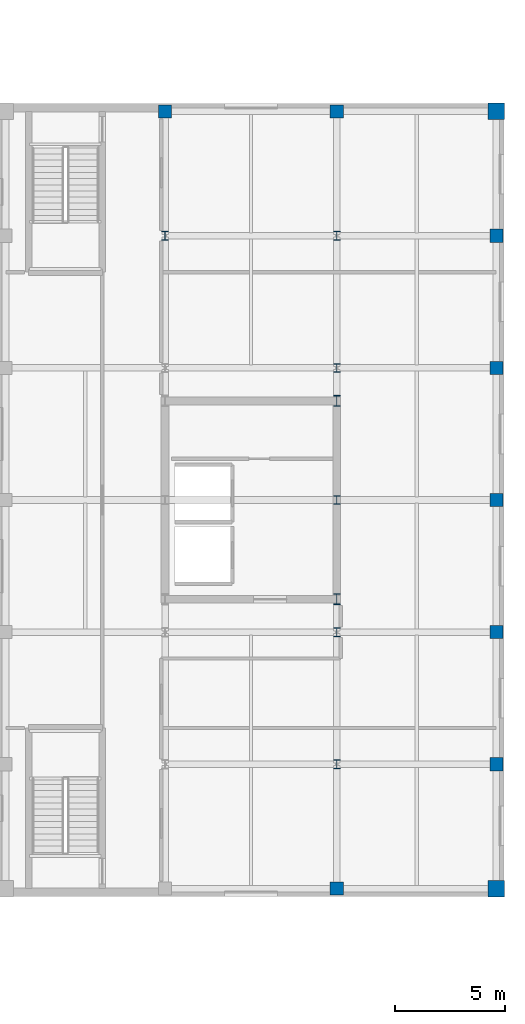
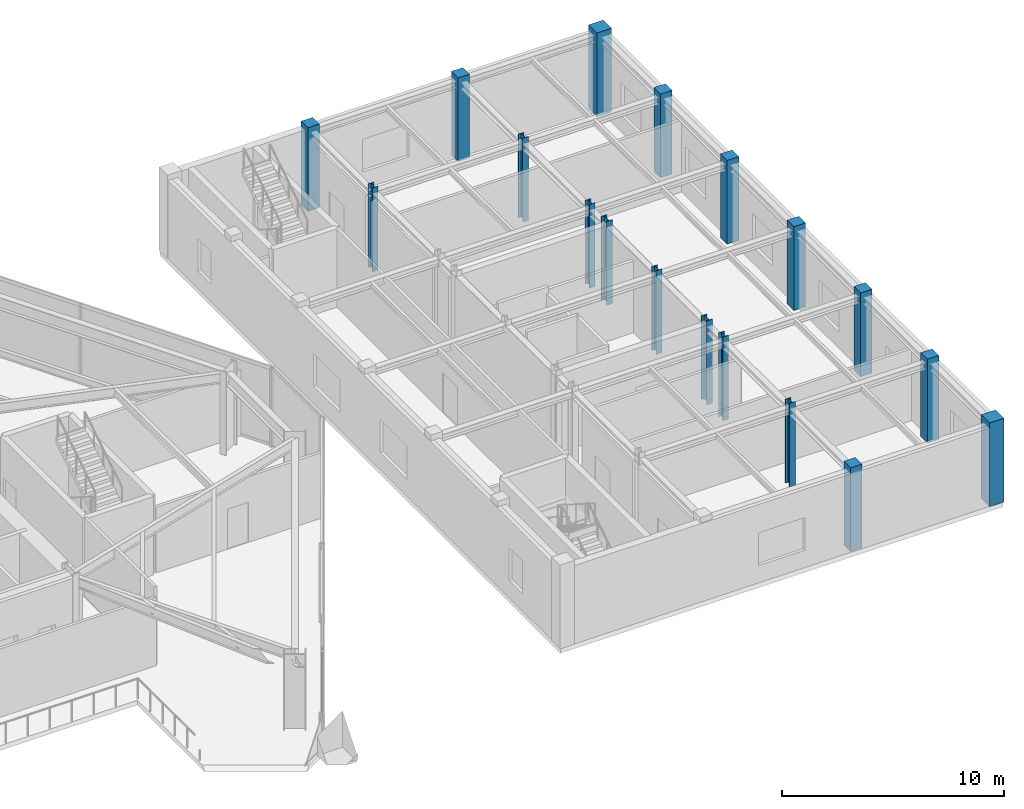
# One storey, part 4 of 23: 18 columns.
"""IFC4 building model written with IfcOpenShell, lengths in metres."""

from ifc_helpers import new_model, si_unit, direction, frame, origin, origin_2d, place, context, subcontext, project, spatial, rectangle, i_section, extrude, material, material_profile, profile_set, type_object, element, save


model = new_model("IFC4")

# Units and contexts
model_context = context("Model", 3, precision=1e-05, world=origin(), true_north=direction((0.0, 1.0)))
body_context = subcontext(model_context, "Body", "Model", "MODEL_VIEW")
ifc_project = project(units=[si_unit("LENGTHUNIT", "METRE"), si_unit("AREAUNIT", "SQUARE_METRE"), si_unit("VOLUMEUNIT", "CUBIC_METRE"), si_unit("PLANEANGLEUNIT", "RADIAN"), si_unit("MASSUNIT", "GRAM", prefix="KILO")], contexts=[model_context])

# Site, building, storey
site_placement = place(None, origin())
site = spatial("IfcSite", under=ifc_project, at=site_placement, CompositionType="ELEMENT")
building_placement = place(site_placement, origin())
building = spatial("IfcBuilding", under=site, at=building_placement, Name="Kranzbogen Civic Tower", CompositionType="ELEMENT")
storey_placement = place(building_placement, frame((0.0, 0.0, 14.39990234375)))
storey = spatial("IfcBuildingStorey", under=building, at=storey_placement, Name="L03", CompositionType="ELEMENT", Elevation=14.39990234375)

# Columns
ifc_material_1 = material(Name="Steel S355", Category="steel")
ifc_material_profile_1 = material_profile(ifc_material_1, i_section(OverallWidth=0.300048828125, OverallDepth=0.39990234375, WebThickness=0.013427734375, FlangeThickness=0.02392578125, at=origin_2d()), Name="HEB 400")
ifc_profile_set_1 = profile_set([ifc_material_profile_1], Name="Steel S355")
column_type_1 = type_object("IfcColumnType", Name="Structural Column HEB 400", PredefinedType="COLUMN", material=ifc_profile_set_1)
for number, where, z_axis, x_axis, name in (
    (1, (59.60009765625, 37.0, 0.0), (0.0, 0.0, 1.0), (1.0, 0.0, 0.0), "L03 Health Centre column 11/G"),
    (2, (67.39990234375, 13.0, 0.0), (0.0, 0.0, 1.0), (1.0, 0.0, 0.0), "L03 Health Centre column 12/C"),
    (3, (67.39990234375, 19.0, 0.0), (0.0, 0.0, 1.0), (1.0, 0.0, 0.0), "L03 Health Centre column 12/D"),
    (4, (67.39990234375, 25.0, 0.0), (0.0, 0.0, 1.0), (1.0, 0.0, 0.0), "L03 Health Centre column 12/E"),
    (5, (67.39990234375, 31.0, 0.0), (0.0, 0.0, 1.0), (1.0, 0.0, 0.0), "L03 Health Centre column 12/F"),
    (6, (67.39990234375, 37.0, 0.0), (0.0, 0.0, 1.0), (1.0, 0.0, 0.0), "L03 Health Centre column 12/G"),
):
    element("IfcColumn", number, at=place(storey_placement, frame(where, z_axis=z_axis, x_axis=x_axis)), inside=storey, type_object=column_type_1, Name=name, PredefinedType="COLUMN", context=body_context, shape_type="SweptSolid", body=[
        extrude(i_section(OverallWidth=0.300048828125, OverallDepth=0.39990234375, WebThickness=0.013427734375, FlangeThickness=0.02392578125, at=origin_2d()), origin(), (0.0, 0.0, 1.0), 4.60009765625),
    ])
ifc_material_profile_2 = material_profile(ifc_material_1, i_section(OverallWidth=0.300048828125, OverallDepth=0.5, WebThickness=0.014404296875, FlangeThickness=0.028076171875, at=origin_2d()), Name="HEB 500")
ifc_profile_set_2 = profile_set([ifc_material_profile_2], Name="Steel S355")
column_type_2 = type_object("IfcColumnType", Name="Structural Column HEB 500", PredefinedType="COLUMN", material=ifc_profile_set_2)
for number, where, z_axis, x_axis, name in (
    (7, (67.39990234375, 20.5, 0.0), (0.0, 0.0, 1.0), (1.0, 0.0, 0.0), "L03 Health Centre core corner column 2"),
    (8, (67.39990234375, 29.5, 0.0), (0.0, 0.0, 1.0), (1.0, 0.0, 0.0), "L03 Health Centre core corner column 3"),
):
    element("IfcColumn", number, at=place(storey_placement, frame(where, z_axis=z_axis, x_axis=x_axis)), inside=storey, type_object=column_type_2, Name=name, PredefinedType="COLUMN", context=body_context, shape_type="SweptSolid", body=[
        extrude(i_section(OverallWidth=0.300048828125, OverallDepth=0.5, WebThickness=0.014404296875, FlangeThickness=0.028076171875, at=origin_2d()), origin(), (0.0, 0.0, 1.0), 4.60009765625),
    ])
ifc_material_2 = material(Name="Concrete C40/50", Category="concrete")
ifc_material_profile_3 = material_profile(ifc_material_2, rectangle(XDim=0.60009765625, YDim=0.60009765625, at=origin_2d()), Name="RC 600x600")
ifc_profile_set_3 = profile_set([ifc_material_profile_3], Name="Concrete C40/50")
column_type_3 = type_object("IfcColumnType", Name="Structural Column RC 600x600", PredefinedType="COLUMN", material=ifc_profile_set_3)
for number, where, z_axis, x_axis, name in (
    (9, (59.60009765625, 42.64990234375, 0.0), (0.0, 0.0, 1.0), (1.0, 0.0, 0.0), "L03 Health Centre column 11/H"),
    (10, (67.39990234375, 7.35009765625, 0.0), (0.0, 0.0, 1.0), (1.0, 0.0, 0.0), "L03 Health Centre column 12/B"),
    (11, (67.39990234375, 42.64990234375, 0.0), (0.0, 0.0, 1.0), (1.0, 0.0, 0.0), "L03 Health Centre column 12/H"),
    (12, (74.64990234375, 13.0, 0.0), (0.0, 0.0, 1.0), (1.0, 0.0, 0.0), "L03 Health Centre column 13/C"),
    (13, (74.64990234375, 19.0, 0.0), (0.0, 0.0, 1.0), (1.0, 0.0, 0.0), "L03 Health Centre column 13/D"),
    (14, (74.64990234375, 25.0, 0.0), (0.0, 0.0, 1.0), (1.0, 0.0, 0.0), "L03 Health Centre column 13/E"),
    (15, (74.64990234375, 31.0, 0.0), (0.0, 0.0, 1.0), (1.0, 0.0, 0.0), "L03 Health Centre column 13/F"),
    (16, (74.64990234375, 37.0, 0.0), (0.0, 0.0, 1.0), (1.0, 0.0, 0.0), "L03 Health Centre column 13/G"),
):
    element("IfcColumn", number, at=place(storey_placement, frame(where, z_axis=z_axis, x_axis=x_axis)), inside=storey, type_object=column_type_3, Name=name, PredefinedType="COLUMN", context=body_context, shape_type="SweptSolid", body=[
        extrude(rectangle(XDim=0.60009765625, YDim=0.60009765625, at=origin_2d()), origin(), (0.0, 0.0, 1.0), 4.60009765625),
    ])
ifc_material_profile_4 = material_profile(ifc_material_2, rectangle(XDim=0.75, YDim=0.75, at=origin_2d()), Name="RC 750x750")
ifc_profile_set_4 = profile_set([ifc_material_profile_4], Name="Concrete C40/50")
column_type_4 = type_object("IfcColumnType", Name="Structural Column RC 750x750", PredefinedType="COLUMN", material=ifc_profile_set_4)
for number, where, z_axis, x_axis, name in (
    (17, (74.64990234375, 7.35009765625, 0.0), (0.0, 0.0, 1.0), (1.0, 0.0, 0.0), "L03 Health Centre column 13/B"),
    (18, (74.64990234375, 42.64990234375, 0.0), (0.0, 0.0, 1.0), (1.0, 0.0, 0.0), "L03 Health Centre column 13/H"),
):
    element("IfcColumn", number, at=place(storey_placement, frame(where, z_axis=z_axis, x_axis=x_axis)), inside=storey, type_object=column_type_4, Name=name, PredefinedType="COLUMN", context=body_context, shape_type="SweptSolid", body=[
        extrude(rectangle(XDim=0.75, YDim=0.75, at=origin_2d()), origin(), (0.0, 0.0, 1.0), 4.60009765625),
    ])

save(model, "model.ifc")
